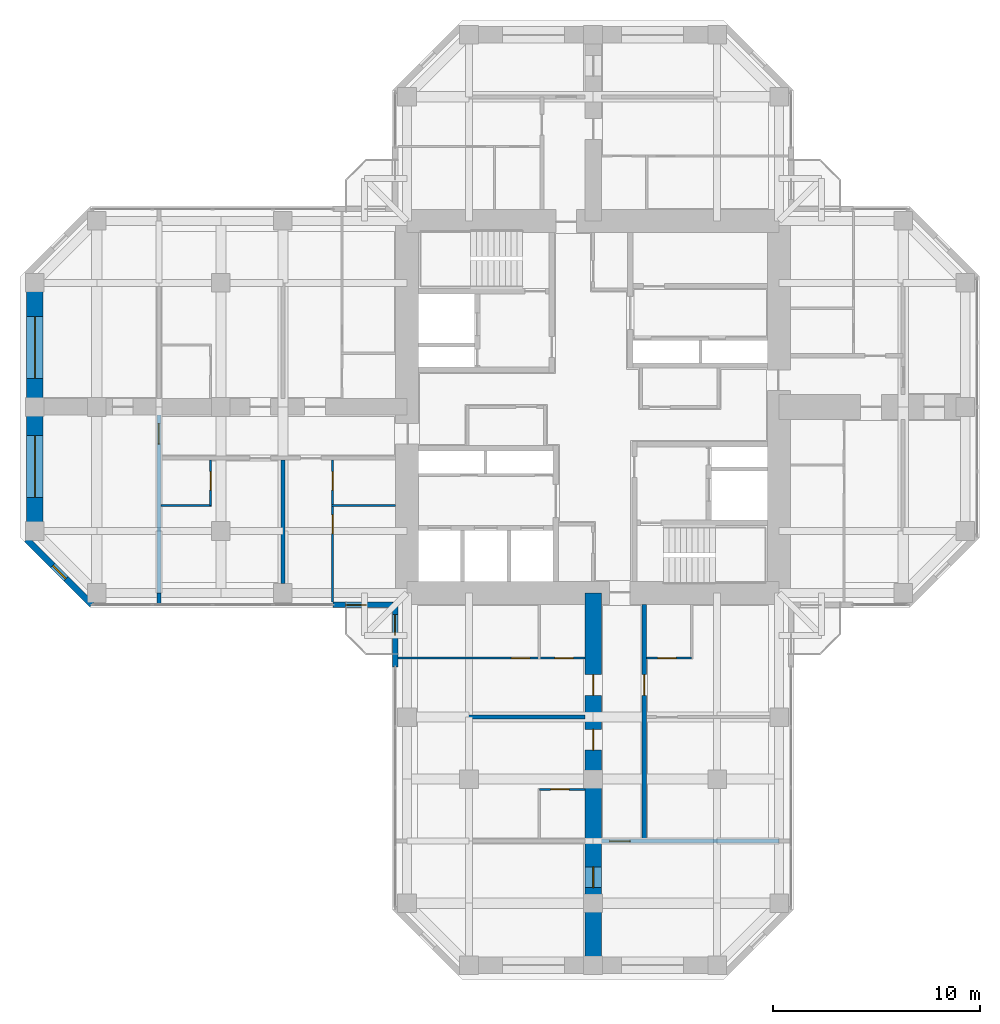
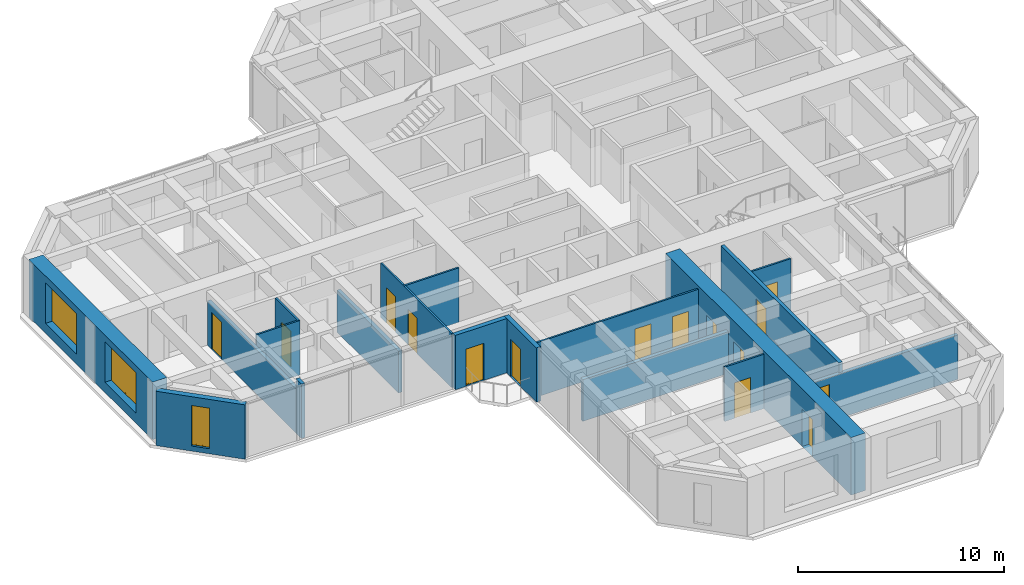
# One storey, part 8 of 14: 18 walls, 15 doors, 3 windows, 18 openings.
"""IFC4 building model written with IfcOpenShell, lengths in metres."""

from ifc_helpers import new_model, si_unit, direction, frame, frame_2d, origin, place, context, subcontext, project, spatial, rectangle, hollow_rectangle, extrude, material, layer, layer_set, constituent, constituent_set, type_object, element, fill, save


model = new_model("IFC4")

# Units and contexts
model_context = context("Model", 3, precision=1e-05, world=origin(), true_north=direction((0.0, 1.0)))
body_context = subcontext(model_context, "Body", "Model", "MODEL_VIEW")
ifc_project = project(units=[si_unit("LENGTHUNIT", "METRE"), si_unit("AREAUNIT", "SQUARE_METRE"), si_unit("VOLUMEUNIT", "CUBIC_METRE"), si_unit("PLANEANGLEUNIT", "RADIAN"), si_unit("MASSUNIT", "GRAM", prefix="KILO")], contexts=[model_context])

# Site, building, storey
site_placement = place(None, origin())
site = spatial("IfcSite", under=ifc_project, at=site_placement, CompositionType="ELEMENT")
building_placement = place(site_placement, origin())
building = spatial("IfcBuilding", under=site, at=building_placement, Name="Torre Cruceta", CompositionType="ELEMENT")
storey_placement = place(building_placement, frame((0.0, 0.0, 179.699951171875)))
storey = spatial("IfcBuildingStorey", under=building, at=storey_placement, Name="L44", CompositionType="ELEMENT", Elevation=179.699951171875)

# Wall, opening, door
ifc_material_1 = material(Name="Water-resistant plasterboard on steel studs", Category="steel")
ifc_layer_1 = layer(ifc_material_1, 0.10009765625)
ifc_layer_set_1 = layer_set([ifc_layer_1], Name="Water-resistant plasterboard on steel studs")
wall_type_1 = type_object("IfcWallType", Name="BATHROOM WALL 100", PredefinedType="PARTITIONING", material=ifc_layer_set_1)
wall_1_placement = place(storey_placement, frame((2.574951171875, -12.14990234375, 0.0), z_axis=(0.0, 0.0, 1.0), x_axis=(1.0, 0.0, 0.0)))
wall_1 = element("IfcWall", 1, at=wall_1_placement, inside=storey, type_object=wall_type_1, Name="PT4 L44-S-U1LBS", PredefinedType="PARTITIONING", context=body_context, shape_type="SweptSolid", body=[
    extrude(rectangle(XDim=2.199951171875, YDim=0.10009765625, at=frame_2d((1.10009765625, 0.0))), origin(), (0.0, 0.0, 1.0), 3.219970703125),
])
opening_1_placement = place(wall_1_placement, frame((0.550048828125, 0.0, 0.0)))
opening_1 = element("IfcOpeningElement", 2, at=opening_1_placement, cuts=wall_1, Name="Opening D7", PredefinedType="OPENING", context=body_context, shape_type="SweptSolid", body=[
    extrude(rectangle(XDim=0.89990234375, YDim=2.10009765625, at=frame_2d((0.449951171875, 1.050048828125))), frame((0.0, 0.06005859375, 0.0), z_axis=(0.0, -1.0, 0.0), x_axis=(1.0, 0.0, 0.0)), (0.0, 0.0, 1.0), 0.1201171875),
])
ifc_material_2 = material(Name="Timber door", Category="wood")
door_type_1 = type_object("IfcDoorType", Name="BATHROOM DOOR 900X2100", OperationType="SINGLE_SWING_LEFT", PredefinedType="DOOR", material=ifc_material_2)
door_1_placement = place(opening_1_placement, origin())
door_1 = element("IfcDoor", 3, at=door_1_placement, inside=storey, type_object=door_type_1, Name="D7 L44-S-U1LBS-D1", OperationType="SINGLE_SWING_LEFT", OverallHeight=2.10009765625, OverallWidth=0.89990234375, PredefinedType="DOOR", context=body_context, shape_type="SweptSolid", body=[
    extrude(rectangle(XDim=0.89990234375, YDim=2.10009765625, at=frame_2d((0.449951171875, 1.050048828125))), frame((0.0, 0.02490234375, 0.0), z_axis=(0.0, -1.0, 0.0), x_axis=(1.0, 0.0, 0.0)), (0.0, 0.0, 1.0), 0.050048828125),
])
fill(opening_1, door_1)

# Wall, openings, doors
wall_2_placement = place(storey_placement, frame((-9.445068359375, -12.14990234375, 0.0), z_axis=(0.0, 0.0, 1.0), x_axis=(1.0, 0.0, 0.0)))
wall_2 = element("IfcWall", 4, at=wall_2_placement, inside=storey, type_object=wall_type_1, Name="PT4 L44-S-U1RBS", PredefinedType="PARTITIONING", context=body_context, shape_type="SweptSolid", body=[
    extrude(rectangle(XDim=9.045166015625, YDim=0.10009765625, at=frame_2d((4.5224609375, 0.0))), origin(), (0.0, 0.0, 1.0), 3.219970703125),
])
opening_2_placement = place(wall_2_placement, frame((5.4951171875, 0.0, 0.0)))
opening_2 = element("IfcOpeningElement", 5, at=opening_2_placement, cuts=wall_2, Name="Opening D7", PredefinedType="OPENING", context=body_context, shape_type="SweptSolid", body=[
    extrude(rectangle(XDim=0.89990234375, YDim=2.10009765625, at=frame_2d((0.449951171875, 1.050048828125))), frame((0.0, 0.06005859375, 0.0), z_axis=(0.0, -1.0, 0.0), x_axis=(1.0, 0.0, 0.0)), (0.0, 0.0, 1.0), 0.1201171875),
])
opening_3_placement = place(wall_2_placement, frame((7.594970703125, 0.0, 0.0)))
opening_3 = element("IfcOpeningElement", 6, at=opening_3_placement, cuts=wall_2, Name="Opening D7", PredefinedType="OPENING", context=body_context, shape_type="SweptSolid", body=[
    extrude(rectangle(XDim=0.89990234375, YDim=2.10009765625, at=frame_2d((0.449951171875, 1.050048828125))), frame((0.0, 0.06005859375, 0.0), z_axis=(0.0, -1.0, 0.0), x_axis=(1.0, 0.0, 0.0)), (0.0, 0.0, 1.0), 0.1201171875),
])
door_2_placement = place(opening_2_placement, origin())
door_2 = element("IfcDoor", 7, at=door_2_placement, inside=storey, type_object=door_type_1, Name="D7 L44-S-U1RBS-D1", OperationType="SINGLE_SWING_RIGHT", OverallHeight=2.10009765625, OverallWidth=0.89990234375, PredefinedType="DOOR", context=body_context, shape_type="SweptSolid", body=[
    extrude(rectangle(XDim=0.89990234375, YDim=2.10009765625, at=frame_2d((0.449951171875, 1.050048828125))), frame((0.0, 0.02490234375, 0.0), z_axis=(0.0, -1.0, 0.0), x_axis=(1.0, 0.0, 0.0)), (0.0, 0.0, 1.0), 0.050048828125),
])
fill(opening_2, door_2)
door_3_placement = place(opening_3_placement, origin())
door_3 = element("IfcDoor", 8, at=door_3_placement, inside=storey, type_object=door_type_1, Name="D7 L44-S-U1RBS-D2", OperationType="SINGLE_SWING_RIGHT", OverallHeight=2.10009765625, OverallWidth=0.89990234375, PredefinedType="DOOR", context=body_context, shape_type="SweptSolid", body=[
    extrude(rectangle(XDim=0.89990234375, YDim=2.10009765625, at=frame_2d((0.449951171875, 1.050048828125))), frame((0.0, 0.02490234375, 0.0), z_axis=(0.0, -1.0, 0.0), x_axis=(1.0, 0.0, 0.0)), (0.0, 0.0, 1.0), 0.050048828125),
])
fill(opening_3, door_3)

# Wall, opening, door
wall_3_placement = place(storey_placement, frame((-2.60009765625, -18.5, 0.0), z_axis=(0.0, 0.0, 1.0), x_axis=(1.0, 0.0, 0.0)))
wall_3 = element("IfcWall", 9, at=wall_3_placement, inside=storey, type_object=wall_type_1, Name="PT4 L44-S-U2RBS", PredefinedType="PARTITIONING", context=body_context, shape_type="SweptSolid", body=[
    extrude(rectangle(XDim=2.2001953125, YDim=0.10009765625, at=frame_2d((1.10009765625, 0.0))), origin(), (0.0, 0.0, 1.0), 3.219970703125),
])
opening_4_placement = place(wall_3_placement, frame((0.550048828125, 0.0, 0.0)))
opening_4 = element("IfcOpeningElement", 10, at=opening_4_placement, cuts=wall_3, Name="Opening D7", PredefinedType="OPENING", context=body_context, shape_type="SweptSolid", body=[
    extrude(rectangle(XDim=0.89990234375, YDim=2.10009765625, at=frame_2d((0.449951171875, 1.050048828125))), frame((0.0, 0.06005859375, 0.0), z_axis=(0.0, -1.0, 0.0), x_axis=(1.0, 0.0, 0.0)), (0.0, 0.0, 1.0), 0.1201171875),
])
door_4_placement = place(opening_4_placement, frame((0.89990234375, 0.0, 0.0), z_axis=(0.0, 0.0, 1.0), x_axis=(-1.0, 0.0, 0.0)))
door_4 = element("IfcDoor", 11, at=door_4_placement, inside=storey, type_object=door_type_1, Name="D7 L44-S-U2RBS-D1", OperationType="SINGLE_SWING_RIGHT", OverallHeight=2.10009765625, OverallWidth=0.89990234375, PredefinedType="DOOR", context=body_context, shape_type="SweptSolid", body=[
    extrude(rectangle(XDim=0.89990234375, YDim=2.10009765625, at=frame_2d((0.449951171875, 1.050048828125))), frame((0.0, 0.025146484375, 0.0), z_axis=(0.0, -1.0, 0.0), x_axis=(1.0, 0.0, 0.0)), (0.0, 0.0, 1.0), 0.050048828125),
])
fill(opening_4, door_4)

# Wall
wall_4_placement = place(storey_placement, frame((-9.550048828125, -4.77490234375, 0.0), z_axis=(0.0, 0.0, 1.0), x_axis=(-1.0, 0.0, 0.0)))
element("IfcWall", 12, at=wall_4_placement, inside=storey, type_object=wall_type_1, Name="PT4 L44-W-U1LBB", PredefinedType="PARTITIONING", context=body_context, shape_type="SweptSolid", body=[
    extrude(rectangle(XDim=3.099853515625, YDim=0.10009765625, at=frame_2d((1.5498046875, 0.0))), origin(), (0.0, 0.0, 1.0), 3.219970703125),
])

# Wall, openings, doors
wall_5_placement = place(storey_placement, frame((-12.60009765625, -2.574951171875, 0.0), z_axis=(0.0, 0.0, 1.0), x_axis=(0.0, -1.0, 0.0)))
wall_5 = element("IfcWall", 13, at=wall_5_placement, inside=storey, type_object=wall_type_1, Name="PT4 L44-W-U1LBS", PredefinedType="PARTITIONING", context=body_context, shape_type="SweptSolid", body=[
    extrude(rectangle(XDim=6.8701171875, YDim=0.10009765625, at=frame_2d((3.43505859375, 0.0))), origin(), (0.0, 0.0, 1.0), 3.219970703125),
])
opening_5_placement = place(wall_5_placement, frame((0.550048828125, 0.0, 0.0)))
opening_5 = element("IfcOpeningElement", 14, at=opening_5_placement, cuts=wall_5, Name="Opening D7", PredefinedType="OPENING", context=body_context, shape_type="SweptSolid", body=[
    extrude(rectangle(XDim=0.89990234375, YDim=2.10009765625, at=frame_2d((0.449951171875, 1.050048828125))), frame((0.0, 0.06005859375, 0.0), z_axis=(0.0, -1.0, 0.0), x_axis=(1.0, 0.0, 0.0)), (0.0, 0.0, 1.0), 0.1201171875),
])
opening_6_placement = place(wall_5_placement, frame((2.64990234375, 0.0, 0.0)))
opening_6 = element("IfcOpeningElement", 15, at=opening_6_placement, cuts=wall_5, Name="Opening D7", PredefinedType="OPENING", context=body_context, shape_type="SweptSolid", body=[
    extrude(rectangle(XDim=0.89990234375, YDim=2.10009765625, at=frame_2d((0.449951171875, 1.050048828125))), frame((0.0, 0.06005859375, 0.0), z_axis=(0.0, -1.0, 0.0), x_axis=(1.0, 0.0, 0.0)), (0.0, 0.0, 1.0), 0.1201171875),
])
door_5_placement = place(opening_5_placement, origin())
door_5 = element("IfcDoor", 16, at=door_5_placement, inside=storey, type_object=door_type_1, Name="D7 L44-W-U1LBS-D1", OperationType="SINGLE_SWING_LEFT", OverallHeight=2.10009765625, OverallWidth=0.89990234375, PredefinedType="DOOR", context=body_context, shape_type="SweptSolid", body=[
    extrude(rectangle(XDim=0.89990234375, YDim=2.10009765625, at=frame_2d((0.449951171875, 1.050048828125))), frame((0.0, 0.02490234375, 0.0), z_axis=(0.0, -1.0, 0.0), x_axis=(1.0, 0.0, 0.0)), (0.0, 0.0, 1.0), 0.050048828125),
])
fill(opening_5, door_5)
door_6_placement = place(opening_6_placement, origin())
door_6 = element("IfcDoor", 17, at=door_6_placement, inside=storey, type_object=door_type_1, Name="D7 L44-W-U1LBS-D2", OperationType="SINGLE_SWING_LEFT", OverallHeight=2.10009765625, OverallWidth=0.89990234375, PredefinedType="DOOR", context=body_context, shape_type="SweptSolid", body=[
    extrude(rectangle(XDim=0.89990234375, YDim=2.10009765625, at=frame_2d((0.449951171875, 1.050048828125))), frame((0.0, 0.02490234375, 0.0), z_axis=(0.0, -1.0, 0.0), x_axis=(1.0, 0.0, 0.0)), (0.0, 0.0, 1.0), 0.050048828125),
])
fill(opening_6, door_6)

# Wall
wall_6_placement = place(storey_placement, frame((-18.449951171875, -4.77490234375, 0.0), z_axis=(0.0, 0.0, 1.0), x_axis=(-1.0, 0.0, 0.0)))
element("IfcWall", 18, at=wall_6_placement, inside=storey, type_object=wall_type_1, Name="PT4 L44-W-U2LBB", PredefinedType="PARTITIONING", context=body_context, shape_type="SweptSolid", body=[
    extrude(rectangle(XDim=2.449951171875, YDim=0.10009765625, at=frame_2d((1.22509765625, 0.0))), origin(), (0.0, 0.0, 1.0), 3.219970703125),
])

# Wall, opening, door
wall_7_placement = place(storey_placement, frame((-18.5, -2.574951171875, 0.0), z_axis=(0.0, 0.0, 1.0), x_axis=(0.0, -1.0, 0.0)))
wall_7 = element("IfcWall", 19, at=wall_7_placement, inside=storey, type_object=wall_type_1, Name="PT4 L44-W-U2LBS", PredefinedType="PARTITIONING", context=body_context, shape_type="SweptSolid", body=[
    extrude(rectangle(XDim=2.199951171875, YDim=0.10009765625, at=frame_2d((1.10009765625, 0.0))), origin(), (0.0, 0.0, 1.0), 3.219970703125),
])
opening_7_placement = place(wall_7_placement, frame((0.550048828125, 0.0, 0.0)))
opening_7 = element("IfcOpeningElement", 20, at=opening_7_placement, cuts=wall_7, Name="Opening D7", PredefinedType="OPENING", context=body_context, shape_type="SweptSolid", body=[
    extrude(rectangle(XDim=0.89990234375, YDim=2.10009765625, at=frame_2d((0.449951171875, 1.050048828125))), frame((0.0, 0.06005859375, 0.0), z_axis=(0.0, -1.0, 0.0), x_axis=(1.0, 0.0, 0.0)), (0.0, 0.0, 1.0), 0.1201171875),
])
door_7_placement = place(opening_7_placement, frame((0.89990234375, 0.0, 0.0), z_axis=(0.0, 0.0, 1.0), x_axis=(-1.0, 0.0, 0.0)))
door_7 = element("IfcDoor", 21, at=door_7_placement, inside=storey, type_object=door_type_1, Name="D7 L44-W-U2LBS-D1", OperationType="SINGLE_SWING_RIGHT", OverallHeight=2.10009765625, OverallWidth=0.89990234375, PredefinedType="DOOR", context=body_context, shape_type="SweptSolid", body=[
    extrude(rectangle(XDim=0.89990234375, YDim=2.10009765625, at=frame_2d((0.449951171875, 1.050048828125))), frame((0.0, 0.025146484375, 0.0), z_axis=(0.0, -1.0, 0.0), x_axis=(1.0, 0.0, 0.0)), (0.0, 0.0, 1.0), 0.050048828125),
])
fill(opening_7, door_7)

ifc_material_3 = material(Name="Concrete G25 (fck 25 MPa)", Category="concrete")
ifc_layer_2 = layer(ifc_material_3, 0.199951171875)
ifc_layer_set_2 = layer_set([ifc_layer_2], Name="Concrete G25 (fck 25 MPa)")
wall_type_2 = type_object("IfcWallType", Name="CORRIDOR WALL 200", PredefinedType="SOLIDWALL", material=ifc_layer_set_2)
wall_8_placement = place(storey_placement, frame((2.47509765625, -9.550048828125, 0.0), z_axis=(0.0, 0.0, 1.0), x_axis=(0.0, -1.0, 0.0)))
wall_8 = element("IfcWall", 22, at=wall_8_placement, inside=storey, type_object=wall_type_2, Name="PT3 L44-S-CL", PredefinedType="SOLIDWALL", context=body_context, shape_type="SweptSolid", body=[
    extrude(rectangle(XDim=11.449951171875, YDim=0.199951171875, at=frame_2d((5.72509765625, 0.0))), origin(), (0.0, 0.0, 1.0), 3.219970703125),
])
opening_8_placement = place(wall_8_placement, frame((3.39990234375, 0.0, 0.0)))
opening_8 = element("IfcOpeningElement", 23, at=opening_8_placement, cuts=wall_8, Name="Opening D6", PredefinedType="OPENING", context=body_context, shape_type="SweptSolid", body=[
    extrude(rectangle(XDim=1.0, YDim=2.14990234375, at=frame_2d((0.5, 1.074951171875))), frame((0.0, 0.10986328125, 0.0), z_axis=(0.0, -1.0, 0.0), x_axis=(1.0, 0.0, 0.0)), (0.0, 0.0, 1.0), 0.219970703125),
])
ifc_material_4 = material(Name="Timber fire door", Category="wood")
door_type_2 = type_object("IfcDoorType", Name="UNIT ENTRANCE DOOR 1000X2150", OperationType="SINGLE_SWING_LEFT", PredefinedType="DOOR", material=ifc_material_4)
door_8_placement = place(opening_8_placement, origin())
door_8 = element("IfcDoor", 24, at=door_8_placement, inside=storey, type_object=door_type_2, Name="D6 L44-S-CL-D1", OperationType="SINGLE_SWING_LEFT", OverallHeight=2.14990234375, OverallWidth=1.0, PredefinedType="DOOR", context=body_context, shape_type="SweptSolid", body=[
    extrude(rectangle(XDim=1.0, YDim=2.14990234375, at=frame_2d((0.5, 1.074951171875))), frame((0.0, 0.02490234375, 0.0), z_axis=(0.0, -1.0, 0.0), x_axis=(1.0, 0.0, 0.0)), (0.0, 0.0, 1.0), 0.050048828125),
])
fill(opening_8, door_8)

# Wall, opening, window
ifc_material_5 = material(Name="Concrete G30 (fck 30 MPa)", Category="concrete")
ifc_layer_3 = layer(ifc_material_5, 0.300048828125)
ifc_layer_set_3 = layer_set([ifc_layer_3], Name="Concrete G30 (fck 30 MPa)")
wall_type_3 = type_object("IfcWallType", Name="EXPOSED CONCRETE FACADE WALL 300", PredefinedType="SOLIDWALL", material=ifc_layer_set_3)
wall_9_placement = place(storey_placement, frame((-27.39990234375, -6.406005859375, 0.0), z_axis=(0.0, 0.0, 1.0), x_axis=(0.707079499254, -0.707134062067, 0.0)))
wall_9 = element("IfcWall", 25, at=wall_9_placement, inside=storey, type_object=wall_type_3, Name="EW1 facade wall L44 W chamfer 13", PredefinedType="SOLIDWALL", context=body_context, shape_type="SweptSolid", body=[
    extrude(rectangle(XDim=4.474609375, YDim=0.300048828125, at=frame_2d((2.2373046875, 0.0))), origin(), (0.0, 0.0, 1.0), 3.219970703125),
])
opening_9_placement = place(wall_9_placement, frame((1.787109375, 0.0, 0.300048828125)))
opening_9 = element("IfcOpeningElement", 26, at=opening_9_placement, cuts=wall_9, Name="Opening WN5", PredefinedType="OPENING", context=body_context, shape_type="SweptSolid", body=[
    extrude(rectangle(XDim=0.89990234375, YDim=2.39990234375, at=frame_2d((0.449951171875, 1.199951171875))), frame((0.0, 0.159912109375, 0.0), z_axis=(0.0, -1.0, 0.0), x_axis=(1.0, 0.0, 0.0)), (0.0, 0.0, 1.0), 0.320068359375),
])
ifc_material_6 = material(Name="Aluminium window frame", Category="aluminium")
ifc_constituent_1 = constituent(ifc_material_6, Name="Frame")
ifc_material_7 = material(Name="Laminated insulating glass unit, low-iron clear", Category="glass")
ifc_constituent_2 = constituent(ifc_material_7, Name="Glazing")
ifc_constituent_set_1 = constituent_set(constituents=[ifc_constituent_1, ifc_constituent_2], Name="Aluminium window")
window_type_1 = type_object("IfcWindowType", Name="CHAMFER SLOT WINDOW 900X2400", PartitioningType="SINGLE_PANEL", PredefinedType="WINDOW", material=ifc_constituent_set_1)
window_1_placement = place(opening_9_placement, origin())
window_1 = element("IfcWindow", 27, at=window_1_placement, inside=storey, type_object=window_type_1, Name="WN5 L44 W 1", OverallHeight=2.39990234375, OverallWidth=0.89990234375, PartitioningType="SINGLE_PANEL", PredefinedType="WINDOW", context=body_context, shape_type="SweptSolid", body=[
    extrude(hollow_rectangle(XDim=0.89990234375, YDim=2.39990234375, WallThickness=0.06005859375, at=frame_2d((0.449951171875, 1.199951171875))), frame((0.0, 0.030029296875, 0.0), z_axis=(0.0, -1.0, 0.0), x_axis=(1.0, 0.0, 0.0)), (0.0, 0.0, 1.0), 0.06005859375),
    extrude(rectangle(XDim=0.77880859375, YDim=2.27880859375, at=frame_2d((0.449951171875, 1.199951171875))), frame((0.0, 0.030029296875, 0.0), z_axis=(0.0, -1.0, 0.0), x_axis=(1.0, 0.0, 0.0)), (0.0, 0.0, 1.0), 0.06005859375),
])
fill(opening_9, window_1)

# Wall, openings, windows
ifc_material_8 = material(Name="Concrete G60 (fck 60 MPa)", Category="concrete")
ifc_layer_4 = layer(ifc_material_8, 0.800048828125)
ifc_layer_set_4 = layer_set([ifc_layer_4], Name="Concrete G60 (fck 60 MPa)")
wall_type_4 = type_object("IfcWallType", Name="NOSE WALL 800 G60", PredefinedType="SHEAR", material=ifc_layer_set_4)
wall_10_placement = place(storey_placement, frame((-27.0, 6.0, 0.0), z_axis=(0.0, 0.0, 1.0), x_axis=(0.0, -1.0, 0.0)))
wall_10 = element("IfcWall", 28, at=wall_10_placement, inside=storey, type_object=wall_type_4, Name="NW2 nose wall L44 W", PredefinedType="SHEAR", context=body_context, shape_type="SweptSolid", body=[
    extrude(rectangle(XDim=12.0, YDim=0.800048828125, at=frame_2d((6.0, 0.0))), origin(), (0.0, 0.0, 1.0), 3.400146484375),
])
opening_10_placement = place(wall_10_placement, frame((1.625, 0.0, 0.60009765625)))
opening_10 = element("IfcOpeningElement", 29, at=opening_10_placement, cuts=wall_10, Name="Opening WN6", PredefinedType="OPENING", context=body_context, shape_type="SweptSolid", body=[
    extrude(rectangle(XDim=3.0, YDim=2.39990234375, at=frame_2d((1.5, 1.199951171875))), frame((0.0, 0.409912109375, 0.0), z_axis=(0.0, -1.0, 0.0), x_axis=(1.0, 0.0, 0.0)), (0.0, 0.0, 1.0), 0.820068359375),
])
opening_11_placement = place(wall_10_placement, frame((7.375, 0.0, 0.60009765625)))
opening_11 = element("IfcOpeningElement", 30, at=opening_11_placement, cuts=wall_10, Name="Opening WN6", PredefinedType="OPENING", context=body_context, shape_type="SweptSolid", body=[
    extrude(rectangle(XDim=3.0, YDim=2.39990234375, at=frame_2d((1.5, 1.199951171875))), frame((0.0, 0.409912109375, 0.0), z_axis=(0.0, -1.0, 0.0), x_axis=(1.0, 0.0, 0.0)), (0.0, 0.0, 1.0), 0.820068359375),
])
ifc_material_9 = material(Name="Aluminium window frame", Category="aluminium")
ifc_constituent_3 = constituent(ifc_material_9, Name="Frame")
ifc_material_10 = material(Name="Laminated insulating glass unit, low-iron clear", Category="glass")
ifc_constituent_4 = constituent(ifc_material_10, Name="Glazing")
ifc_constituent_set_2 = constituent_set(constituents=[ifc_constituent_3, ifc_constituent_4], Name="Aluminium window")
window_type_2 = type_object("IfcWindowType", Name="NOSE WALL WINDOW 3000X2400", PartitioningType="SINGLE_PANEL", PredefinedType="WINDOW", material=ifc_constituent_set_2)
window_2_placement = place(opening_10_placement, origin())
window_2 = element("IfcWindow", 31, at=window_2_placement, inside=storey, type_object=window_type_2, Name="WN6 L44 W 1", OverallHeight=2.39990234375, OverallWidth=3.0, PartitioningType="SINGLE_PANEL", PredefinedType="WINDOW", context=body_context, shape_type="SweptSolid", body=[
    extrude(hollow_rectangle(XDim=3.0, YDim=2.39990234375, WallThickness=0.06005859375, at=frame_2d((1.5, 1.199951171875))), frame((0.0, 0.030029296875, 0.0), z_axis=(0.0, -1.0, 0.0), x_axis=(1.0, 0.0, 0.0)), (0.0, 0.0, 1.0), 0.06005859375),
    extrude(rectangle(XDim=2.87890625, YDim=2.27880859375, at=frame_2d((1.5, 1.199951171875))), frame((0.0, 0.030029296875, 0.0), z_axis=(0.0, -1.0, 0.0), x_axis=(1.0, 0.0, 0.0)), (0.0, 0.0, 1.0), 0.06005859375),
])
fill(opening_10, window_2)
window_3_placement = place(opening_11_placement, origin())
window_3 = element("IfcWindow", 32, at=window_3_placement, inside=storey, type_object=window_type_2, Name="WN6 L44 W 2", OverallHeight=2.39990234375, OverallWidth=3.0, PartitioningType="SINGLE_PANEL", PredefinedType="WINDOW", context=body_context, shape_type="SweptSolid", body=[
    extrude(hollow_rectangle(XDim=3.0, YDim=2.39990234375, WallThickness=0.06005859375, at=frame_2d((1.5, 1.199951171875))), frame((0.0, 0.030029296875, 0.0), z_axis=(0.0, -1.0, 0.0), x_axis=(1.0, 0.0, 0.0)), (0.0, 0.0, 1.0), 0.06005859375),
    extrude(rectangle(XDim=2.87890625, YDim=2.27880859375, at=frame_2d((1.5, 1.199951171875))), frame((0.0, 0.030029296875, 0.0), z_axis=(0.0, -1.0, 0.0), x_axis=(1.0, 0.0, 0.0)), (0.0, 0.0, 1.0), 0.06005859375),
])
fill(opening_11, window_3)

# Wall, openings, doors
ifc_material_11 = material(Name="Concrete G60 (fck 60 MPa)", Category="concrete")
ifc_layer_5 = layer(ifc_material_11, 0.800048828125)
ifc_layer_set_5 = layer_set([ifc_layer_5], Name="Concrete G60 (fck 60 MPa)")
wall_type_5 = type_object("IfcWallType", Name="SPINE WALL 800 G60", PredefinedType="SHEAR", material=ifc_layer_set_5)
wall_11_placement = place(storey_placement, frame((0.0, -9.0, 0.0), z_axis=(0.0, 0.0, 1.0), x_axis=(0.0, -1.0, 0.0)))
wall_11 = element("IfcWall", 33, at=wall_11_placement, inside=storey, type_object=wall_type_5, Name="SW4 spine wall L44 S", PredefinedType="SHEAR", context=body_context, shape_type="SweptSolid", body=[
    extrude(rectangle(XDim=18.0, YDim=0.800048828125, at=frame_2d((9.0, 0.0))), origin(), (0.0, 0.0, 1.0), 3.400146484375),
])
opening_12_placement = place(wall_11_placement, frame((3.949951171875, 0.0, 0.0)))
opening_12 = element("IfcOpeningElement", 34, at=opening_12_placement, cuts=wall_11, Name="Opening D6", PredefinedType="OPENING", context=body_context, shape_type="SweptSolid", body=[
    extrude(rectangle(XDim=1.0, YDim=2.14990234375, at=frame_2d((0.5, 1.074951171875))), frame((0.0, 0.409912109375, 0.0), z_axis=(0.0, -1.0, 0.0), x_axis=(1.0, 0.0, 0.0)), (0.0, 0.0, 1.0), 0.820068359375),
])
opening_13_placement = place(wall_11_placement, frame((6.60009765625, 0.0, 0.0)))
opening_13 = element("IfcOpeningElement", 35, at=opening_13_placement, cuts=wall_11, Name="Opening D6", PredefinedType="OPENING", context=body_context, shape_type="SweptSolid", body=[
    extrude(rectangle(XDim=1.0, YDim=2.14990234375, at=frame_2d((0.5, 1.074951171875))), frame((0.0, 0.409912109375, 0.0), z_axis=(0.0, -1.0, 0.0), x_axis=(1.0, 0.0, 0.0)), (0.0, 0.0, 1.0), 0.820068359375),
])
opening_14_placement = place(wall_11_placement, frame((13.25, 0.0, 0.0)))
opening_14 = element("IfcOpeningElement", 36, at=opening_14_placement, cuts=wall_11, Name="Opening D14", PredefinedType="OPENING", context=body_context, shape_type="SweptSolid", body=[
    extrude(rectangle(XDim=1.0, YDim=2.199951171875, at=frame_2d((0.5, 1.10009765625))), frame((0.0, 0.409912109375, 0.0), z_axis=(0.0, -1.0, 0.0), x_axis=(1.0, 0.0, 0.0)), (0.0, 0.0, 1.0), 0.820068359375),
])
ifc_material_12 = material(Name="Steel DX51D", Category="steel")
ifc_constituent_5 = constituent(ifc_material_12, Name="Leaf and frame")
ifc_material_13 = material(Name="Polyester powder coating", Category="paint")
ifc_constituent_6 = constituent(ifc_material_13, Name="Finish")
ifc_material_14 = material(Name="Fire-resisting glass", Category="glass")
ifc_constituent_7 = constituent(ifc_material_14, Name="Vision panel")
ifc_constituent_set_3 = constituent_set(constituents=[ifc_constituent_5, ifc_constituent_6, ifc_constituent_7], Name="Steel fire door with vision panel")
door_type_3 = type_object("IfcDoorType", Name="FIRE DOOR VISION PANEL 1000X2200", OperationType="SINGLE_SWING_RIGHT", PredefinedType="DOOR", material=ifc_constituent_set_3)
door_9_placement = place(opening_14_placement, origin())
door_9 = element("IfcDoor", 37, at=door_9_placement, inside=storey, type_object=door_type_3, Name="D14 L44-S-SP3", OperationType="SINGLE_SWING_LEFT", OverallHeight=2.199951171875, OverallWidth=1.0, PredefinedType="DOOR", context=body_context, shape_type="SweptSolid", body=[
    extrude(rectangle(XDim=1.0, YDim=2.199951171875, at=frame_2d((0.5, 1.10009765625))), frame((0.0, 0.02490234375, 0.0), z_axis=(0.0, -1.0, 0.0), x_axis=(1.0, 0.0, 0.0)), (0.0, 0.0, 1.0), 0.050048828125),
])
fill(opening_14, door_9)
door_10_placement = place(opening_12_placement, frame((1.0, 0.0, 0.0), z_axis=(0.0, 0.0, 1.0), x_axis=(-1.0, 0.0, 0.0)))
door_10 = element("IfcDoor", 38, at=door_10_placement, inside=storey, type_object=door_type_2, Name="D6 L44-S-SP1", OperationType="SINGLE_SWING_RIGHT", OverallHeight=2.14990234375, OverallWidth=1.0, PredefinedType="DOOR", context=body_context, shape_type="SweptSolid", body=[
    extrude(rectangle(XDim=1.0, YDim=2.14990234375, at=frame_2d((0.5, 1.074951171875))), frame((0.0, 0.025146484375, 0.0), z_axis=(0.0, -1.0, 0.0), x_axis=(1.0, 0.0, 0.0)), (0.0, 0.0, 1.0), 0.050048828125),
])
fill(opening_12, door_10)
door_11_placement = place(opening_13_placement, frame((1.0, 0.0, 0.0), z_axis=(0.0, 0.0, 1.0), x_axis=(-1.0, 0.0, 0.0)))
door_11 = element("IfcDoor", 39, at=door_11_placement, inside=storey, type_object=door_type_2, Name="D6 L44-S-SP2", OperationType="SINGLE_SWING_RIGHT", OverallHeight=2.14990234375, OverallWidth=1.0, PredefinedType="DOOR", context=body_context, shape_type="SweptSolid", body=[
    extrude(rectangle(XDim=1.0, YDim=2.14990234375, at=frame_2d((0.5, 1.074951171875))), frame((0.0, 0.025146484375, 0.0), z_axis=(0.0, -1.0, 0.0), x_axis=(1.0, 0.0, 0.0)), (0.0, 0.0, 1.0), 0.050048828125),
])
fill(opening_13, door_11)

# Wall
ifc_material_15 = material(Name="Concrete G25 (fck 25 MPa)", Category="concrete")
ifc_layer_6 = layer(ifc_material_15, 0.199951171875)
ifc_layer_set_6 = layer_set([ifc_layer_6], Name="Concrete G25 (fck 25 MPa)")
wall_type_6 = type_object("IfcWallType", Name="UNIT SEPARATING WALL 200", PredefinedType="SOLIDWALL", material=ifc_layer_set_6)
wall_12_placement = place(storey_placement, frame((-8.550048828125, -15.0, 0.0), z_axis=(0.0, 0.0, 1.0), x_axis=(1.0, 0.0, 0.0)))
element("IfcWall", 40, at=wall_12_placement, inside=storey, type_object=wall_type_6, Name="PT2 L44-S-P1R", PredefinedType="SOLIDWALL", context=body_context, shape_type="SweptSolid", body=[
    extrude(rectangle(XDim=8.150146484375, YDim=0.199951171875, at=frame_2d((4.0751953125, 0.0))), origin(), (0.0, 0.0, 1.0), 2.469970703125),
])

# Wall, opening, door
wall_13_placement = place(storey_placement, frame((0.39990234375, -21.0, 0.0), z_axis=(0.0, 0.0, 1.0), x_axis=(1.0, 0.0, 0.0)))
wall_13 = element("IfcWall", 41, at=wall_13_placement, inside=storey, type_object=wall_type_6, Name="PT2 L44-S-ENDb", PredefinedType="SOLIDWALL", context=body_context, shape_type="SweptSolid", body=[
    extrude(rectangle(XDim=8.60009765625, YDim=0.199951171875, at=frame_2d((4.300048828125, 0.0))), origin(), (0.0, 0.0, 1.0), 2.6201171875),
])
opening_15_placement = place(wall_13_placement, frame((0.39990234375, 0.0, 0.0)))
opening_15 = element("IfcOpeningElement", 42, at=opening_15_placement, cuts=wall_13, Name="Opening D14", PredefinedType="OPENING", context=body_context, shape_type="SweptSolid", body=[
    extrude(rectangle(XDim=1.0, YDim=2.199951171875, at=frame_2d((0.5, 1.10009765625))), frame((0.0, 0.10986328125, 0.0), z_axis=(0.0, -1.0, 0.0), x_axis=(1.0, 0.0, 0.0)), (0.0, 0.0, 1.0), 0.219970703125),
])
door_12_placement = place(opening_15_placement, frame((1.0, 0.0, 0.0), z_axis=(0.0, 0.0, 1.0), x_axis=(-1.0, 0.0, 0.0)))
door_12 = element("IfcDoor", 43, at=door_12_placement, inside=storey, type_object=door_type_3, Name="D14 L44-S-ENDb-D1", OperationType="SINGLE_SWING_RIGHT", OverallHeight=2.199951171875, OverallWidth=1.0, PredefinedType="DOOR", context=body_context, shape_type="SweptSolid", body=[
    extrude(rectangle(XDim=1.0, YDim=2.199951171875, at=frame_2d((0.5, 1.10009765625))), frame((0.0, 0.025146484375, 0.0), z_axis=(0.0, -1.0, 0.0), x_axis=(1.0, 0.0, 0.0)), (0.0, 0.0, 1.0), 0.050048828125),
])
fill(opening_15, door_12)

# Wall
wall_14_placement = place(storey_placement, frame((-15.0, -2.574951171875, 0.0), z_axis=(0.0, 0.0, 1.0), x_axis=(0.0, -1.0, 0.0)))
element("IfcWall", 44, at=wall_14_placement, inside=storey, type_object=wall_type_6, Name="PT2 L44-W-P1L", PredefinedType="SOLIDWALL", context=body_context, shape_type="SweptSolid", body=[
    extrude(rectangle(XDim=5.97509765625, YDim=0.199951171875, at=frame_2d((2.987548828125, 0.0))), origin(), (0.0, 0.0, 1.0), 2.469970703125),
])

# Wall, opening, door
wall_15_placement = place(storey_placement, frame((-21.0, -0.39990234375, 0.0), z_axis=(0.0, 0.0, 1.0), x_axis=(0.0, -1.0, 0.0)))
wall_15 = element("IfcWall", 45, at=wall_15_placement, inside=storey, type_object=wall_type_6, Name="PT2 L44-W-ENDb", PredefinedType="SOLIDWALL", context=body_context, shape_type="SweptSolid", body=[
    extrude(rectangle(XDim=8.60009765625, YDim=0.199951171875, at=frame_2d((4.300048828125, 0.0))), origin(), (0.0, 0.0, 1.0), 2.6201171875),
])
opening_16_placement = place(wall_15_placement, frame((0.39990234375, 0.0, 0.0)))
opening_16 = element("IfcOpeningElement", 46, at=opening_16_placement, cuts=wall_15, Name="Opening D14", PredefinedType="OPENING", context=body_context, shape_type="SweptSolid", body=[
    extrude(rectangle(XDim=1.0, YDim=2.199951171875, at=frame_2d((0.5, 1.10009765625))), frame((0.0, 0.10986328125, 0.0), z_axis=(0.0, -1.0, 0.0), x_axis=(1.0, 0.0, 0.0)), (0.0, 0.0, 1.0), 0.219970703125),
])
door_13_placement = place(opening_16_placement, frame((1.0, 0.0, 0.0), z_axis=(0.0, 0.0, 1.0), x_axis=(-1.0, 0.0, 0.0)))
door_13 = element("IfcDoor", 47, at=door_13_placement, inside=storey, type_object=door_type_3, Name="D14 L44-W-ENDb-D1", OperationType="SINGLE_SWING_RIGHT", OverallHeight=2.199951171875, OverallWidth=1.0, PredefinedType="DOOR", context=body_context, shape_type="SweptSolid", body=[
    extrude(rectangle(XDim=1.0, YDim=2.199951171875, at=frame_2d((0.5, 1.10009765625))), frame((0.0, 0.025146484375, 0.0), z_axis=(0.0, -1.0, 0.0), x_axis=(1.0, 0.0, 0.0)), (0.0, 0.0, 1.0), 0.050048828125),
])
fill(opening_16, door_13)

# Wall
wall_16_placement = place(storey_placement, frame((-21.0, -9.0, 0.0), z_axis=(0.0, 0.0, 1.0), x_axis=(0.0, -1.0, 0.0)))
element("IfcWall", 48, at=wall_16_placement, inside=storey, type_object=wall_type_6, Name="PT2 L44-W-ENDb 2", PredefinedType="SOLIDWALL", context=body_context, shape_type="SweptSolid", body=[
    extrude(rectangle(XDim=0.530029296875, YDim=0.199951171875, at=frame_2d((0.26513671875, 0.0))), origin(), (0.0, 0.0, 1.0), 3.219970703125),
])

# Wall, opening, door
ifc_material_16 = material(Name="Concrete G30 (fck 30 MPa)", Category="concrete")
ifc_layer_7 = layer(ifc_material_16, 0.25)
ifc_layer_set_7 = layer_set([ifc_layer_7], Name="Concrete G30 (fck 30 MPa)")
wall_type_7 = type_object("IfcWallType", Name="WINTER GARDEN WALL 250", PredefinedType="SOLIDWALL", material=ifc_layer_set_7)
wall_17_placement = place(storey_placement, frame((-12.570068359375, -9.570068359375, 0.0), z_axis=(0.0, 0.0, 1.0), x_axis=(1.0, 0.0, 0.0)))
wall_17 = element("IfcWall", 49, at=wall_17_placement, inside=storey, type_object=wall_type_7, Name="EW2 winter garden wall L44 14", PredefinedType="SOLIDWALL", context=body_context, shape_type="SweptSolid", body=[
    extrude(rectangle(XDim=2.875, YDim=0.25, at=frame_2d((1.4375, 0.0))), origin(), (0.0, 0.0, 1.0), 3.219970703125),
])
opening_17_placement = place(wall_17_placement, frame((0.60009765625, 0.0, 0.0)))
opening_17 = element("IfcOpeningElement", 50, at=opening_17_placement, cuts=wall_17, Name="Opening D10", PredefinedType="OPENING", context=body_context, shape_type="SweptSolid", body=[
    extrude(rectangle(XDim=1.0, YDim=2.199951171875, at=frame_2d((0.5, 1.10009765625))), frame((0.0, 0.135009765625, 0.0), z_axis=(0.0, -1.0, 0.0), x_axis=(1.0, 0.0, 0.0)), (0.0, 0.0, 1.0), 0.27001953125),
])
ifc_material_17 = material(Name="Aluminium door frame", Category="aluminium")
ifc_constituent_8 = constituent(ifc_material_17, Name="Frame")
ifc_material_18 = material(Name="Laminated safety glass", Category="glass")
ifc_constituent_9 = constituent(ifc_material_18, Name="Glazing")
ifc_constituent_set_4 = constituent_set(constituents=[ifc_constituent_8, ifc_constituent_9], Name="Aluminium glazed door")
door_type_4 = type_object("IfcDoorType", Name="BALCONY DOOR 1000X2200", OperationType="SINGLE_SWING_RIGHT", PredefinedType="DOOR", material=ifc_constituent_set_4)
door_14_placement = place(opening_17_placement, origin())
door_14 = element("IfcDoor", 51, at=door_14_placement, inside=storey, type_object=door_type_4, Name="D10 balcony door L44 14", OperationType="SINGLE_SWING_LEFT", OverallHeight=2.199951171875, OverallWidth=1.0, PredefinedType="DOOR", context=body_context, shape_type="SweptSolid", body=[
    extrude(hollow_rectangle(XDim=1.0, YDim=2.199951171875, WallThickness=0.06005859375, at=frame_2d((0.5, 1.10009765625))), frame((0.0, 0.02490234375, 0.0), z_axis=(0.0, -1.0, 0.0), x_axis=(1.0, 0.0, 0.0)), (0.0, 0.0, 1.0), 0.050048828125),
    extrude(rectangle(XDim=0.87890625, YDim=2.078857421875, at=frame_2d((0.5, 1.10009765625))), frame((0.0, 0.02490234375, 0.0), z_axis=(0.0, -1.0, 0.0), x_axis=(1.0, 0.0, 0.0)), (0.0, 0.0, 1.0), 0.050048828125),
])
fill(opening_17, door_14)

wall_18_placement = place(storey_placement, frame((-9.570068359375, -9.445068359375, 0.0), z_axis=(0.0, 0.0, 1.0), x_axis=(0.0, -1.0, 0.0)))
wall_18 = element("IfcWall", 52, at=wall_18_placement, inside=storey, type_object=wall_type_7, Name="EW2 winter garden wall L44 15", PredefinedType="SOLIDWALL", context=body_context, shape_type="SweptSolid", body=[
    extrude(rectangle(XDim=3.125, YDim=0.25, at=frame_2d((1.5625, 0.0))), origin(), (0.0, 0.0, 1.0), 3.219970703125),
])
opening_18_placement = place(wall_18_placement, frame((0.60009765625, 0.0, 0.0)))
opening_18 = element("IfcOpeningElement", 53, at=opening_18_placement, cuts=wall_18, Name="Opening D10", PredefinedType="OPENING", context=body_context, shape_type="SweptSolid", body=[
    extrude(rectangle(XDim=1.0, YDim=2.199951171875, at=frame_2d((0.5, 1.10009765625))), frame((0.0, 0.135009765625, 0.0), z_axis=(0.0, -1.0, 0.0), x_axis=(1.0, 0.0, 0.0)), (0.0, 0.0, 1.0), 0.27001953125),
])
door_15_placement = place(opening_18_placement, origin())
door_15 = element("IfcDoor", 54, at=door_15_placement, inside=storey, type_object=door_type_4, Name="D10 balcony door L44 15", OperationType="SINGLE_SWING_LEFT", OverallHeight=2.199951171875, OverallWidth=1.0, PredefinedType="DOOR", context=body_context, shape_type="SweptSolid", body=[
    extrude(hollow_rectangle(XDim=1.0, YDim=2.199951171875, WallThickness=0.06005859375, at=frame_2d((0.5, 1.10009765625))), frame((0.0, 0.02490234375, 0.0), z_axis=(0.0, -1.0, 0.0), x_axis=(1.0, 0.0, 0.0)), (0.0, 0.0, 1.0), 0.050048828125),
    extrude(rectangle(XDim=0.87890625, YDim=2.078857421875, at=frame_2d((0.5, 1.10009765625))), frame((0.0, 0.02490234375, 0.0), z_axis=(0.0, -1.0, 0.0), x_axis=(1.0, 0.0, 0.0)), (0.0, 0.0, 1.0), 0.050048828125),
])
fill(opening_18, door_15)

save(model, "model.ifc")
